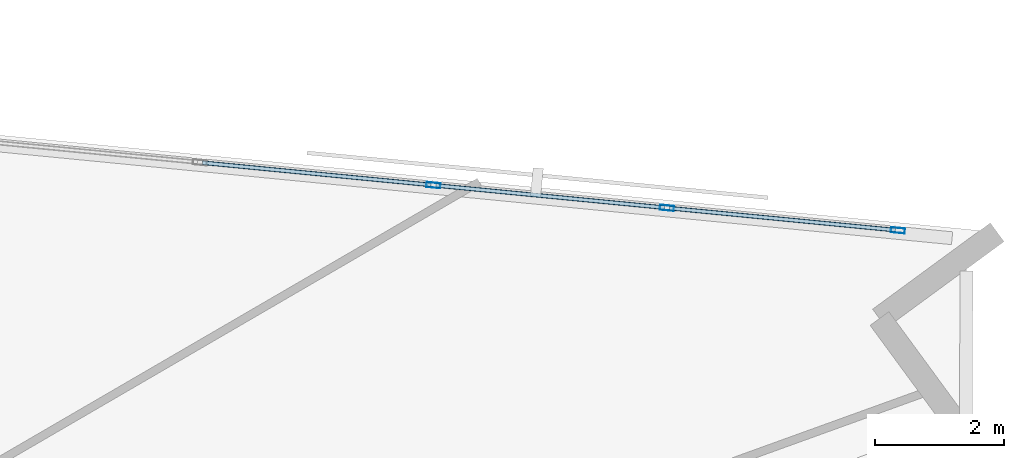
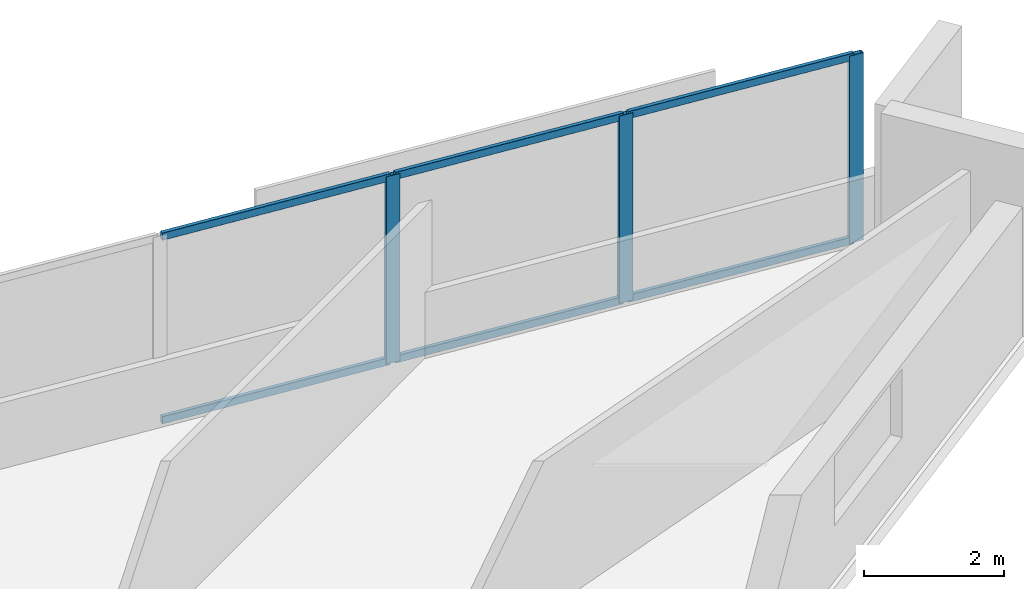
# One storey, part 6 of 14: 9 members, 1 element without a shape of its own.
"""IFC4 building model written with IfcOpenShell, lengths in metres."""

from ifc_helpers import new_model, si_unit, direction, frame, origin, origin_2d, place, context, subcontext, project, spatial, hollow_rectangle, extrude, material, material_profile, profile_set, type_object, element, aggregate, save


model = new_model("IFC4")

# Units and contexts
model_context = context("Model", 3, precision=1e-05, world=origin(), true_north=direction((0.0, 1.0)))
body_context = subcontext(model_context, "Body", "Model", "MODEL_VIEW")
ifc_project = project(units=[si_unit("LENGTHUNIT", "METRE"), si_unit("AREAUNIT", "SQUARE_METRE"), si_unit("VOLUMEUNIT", "CUBIC_METRE"), si_unit("PLANEANGLEUNIT", "RADIAN"), si_unit("MASSUNIT", "GRAM", prefix="KILO")], contexts=[model_context])

# Site, building, storey
site_placement = place(None, origin())
site = spatial("IfcSite", under=ifc_project, at=site_placement, CompositionType="ELEMENT")
building_placement = place(site_placement, origin())
building = spatial("IfcBuilding", under=site, at=building_placement, Name="Narakoshi Arena Tower", CompositionType="ELEMENT")
storey_placement = place(building_placement, frame((0.0, 0.0, 250.179931640625)))
storey = spatial("IfcBuildingStorey", under=building, at=storey_placement, Name="L68", CompositionType="ELEMENT", Elevation=250.179931640625)

# Curtain wall, members
ifc_material = material(Name="Anodised bronze aluminium 6063-T6", Category="aluminium")
curtain_wall_type = type_object("IfcCurtainWallType", Name="CW-HYP-HIGH", PredefinedType="NOTDEFINED", material=ifc_material)
curtain_wall_placement = place(storey_placement, origin())
curtain_wall = element("IfcCurtainWall", 1, at=curtain_wall_placement, inside=storey, type_object=curtain_wall_type, Name="L68 Folded Hypotenuse Curtain Wall 1-1", PredefinedType="NOTDEFINED")
ifc_material_profile_1 = material_profile(ifc_material, hollow_rectangle(XDim=0.080078125, YDim=0.219970703125, WallThickness=0.0048828125, OuterFilletRadius=0.006103515625, at=origin_2d()), Name="MUL220x80x5")
ifc_profile_set_1 = profile_set([ifc_material_profile_1], Name="Anodised bronze aluminium 6063-T6")
member_type_1 = type_object("IfcMemberType", Name="MEM-MUL-220", PredefinedType="MULLION", material=ifc_profile_set_1)
member_1_placement = place(storey_placement, frame((112.25048828125, 60.418701171875, 0.0), z_axis=(0.0, 0.0, 1.0), x_axis=(-0.096851320996, -0.995298860454, 0.0)))
member_1 = element("IfcMember", 2, at=member_1_placement, type_object=member_type_1, Name="CW-03 mullion 1", PredefinedType="MULLION", context=body_context, shape_type="SweptSolid", body=[
    extrude(hollow_rectangle(XDim=0.080078125, YDim=0.219970703125, WallThickness=0.0048828125, OuterFilletRadius=0.006103515625, at=origin_2d()), origin(), (0.0, 0.0, 1.0), 3.260009765625),
])
member_2_placement = place(storey_placement, frame((108.65869140625, 60.768310546875, 0.0), z_axis=(0.0, 0.0, 1.0), x_axis=(-0.096851320996, -0.995298860454, 0.0)))
member_2 = element("IfcMember", 3, at=member_2_placement, type_object=member_type_1, Name="CW-03 mullion 2", PredefinedType="MULLION", context=body_context, shape_type="SweptSolid", body=[
    extrude(hollow_rectangle(XDim=0.080078125, YDim=0.219970703125, WallThickness=0.0048828125, OuterFilletRadius=0.006103515625, at=origin_2d()), origin(), (0.0, 0.0, 1.0), 3.260009765625),
])
member_3_placement = place(storey_placement, frame((105.027099609375, 61.12158203125, 0.0), z_axis=(0.0, 0.0, 1.0), x_axis=(-0.096851320996, -0.995298860454, 0.0)))
member_3 = element("IfcMember", 4, at=member_3_placement, type_object=member_type_1, Name="CW-03 mullion 3", PredefinedType="MULLION", context=body_context, shape_type="SweptSolid", body=[
    extrude(hollow_rectangle(XDim=0.080078125, YDim=0.219970703125, WallThickness=0.0048828125, OuterFilletRadius=0.006103515625, at=origin_2d()), origin(), (0.0, 0.0, 1.0), 3.260009765625),
])
ifc_material_profile_2 = material_profile(ifc_material, hollow_rectangle(XDim=0.06494140625, YDim=0.1298828125, WallThickness=0.00390625, OuterFilletRadius=0.0048828125, at=origin_2d()), Name="TRN130x65x4")
ifc_profile_set_2 = profile_set([ifc_material_profile_2], Name="Anodised bronze aluminium 6063-T6")
member_type_2 = type_object("IfcMemberType", Name="MEM-TRN-130", PredefinedType="USERDEFINED", material=ifc_profile_set_2)
member_4_placement = place(storey_placement, frame((112.210693359375, 60.422607421875, 0.032470703125), z_axis=(-0.995298087829, 0.096859260598, 0.0), x_axis=(-0.096859260598, -0.995298087829, 0.0)))
member_4 = element("IfcMember", 5, at=member_4_placement, type_object=member_type_2, Name="CW-03 transom 1.1", ObjectType="TRANSOM", PredefinedType="USERDEFINED", context=body_context, shape_type="SweptSolid", body=[
    extrude(hollow_rectangle(XDim=0.06494140625, YDim=0.1298828125, WallThickness=0.00390625, OuterFilletRadius=0.0048828125, at=origin_2d()), origin(), (0.0, 0.0, 1.0), 3.52880859375),
])
member_5_placement = place(storey_placement, frame((112.210693359375, 60.422607421875, 3.2275390625), z_axis=(-0.995298087829, 0.096859260598, 0.0), x_axis=(-0.096859260598, -0.995298087829, 0.0)))
member_5 = element("IfcMember", 6, at=member_5_placement, type_object=member_type_2, Name="CW-03 transom 1.2", ObjectType="TRANSOM", PredefinedType="USERDEFINED", context=body_context, shape_type="SweptSolid", body=[
    extrude(hollow_rectangle(XDim=0.06494140625, YDim=0.1298828125, WallThickness=0.00390625, OuterFilletRadius=0.0048828125, at=origin_2d()), origin(), (0.0, 0.0, 1.0), 3.52880859375),
])
member_6_placement = place(storey_placement, frame((108.618896484375, 60.772216796875, 0.032470703125), z_axis=(-0.995303775278, 0.096800800194, 0.0), x_axis=(-0.096800800194, -0.995303775278, 0.0)))
member_6 = element("IfcMember", 7, at=member_6_placement, type_object=member_type_2, Name="CW-03 transom 2.1", ObjectType="TRANSOM", PredefinedType="USERDEFINED", context=body_context, shape_type="SweptSolid", body=[
    extrude(hollow_rectangle(XDim=0.06494140625, YDim=0.1298828125, WallThickness=0.00390625, OuterFilletRadius=0.0048828125, at=origin_2d()), origin(), (0.0, 0.0, 1.0), 3.56884765625),
])
member_7_placement = place(storey_placement, frame((108.618896484375, 60.772216796875, 3.2275390625), z_axis=(-0.995303775278, 0.096800800194, 0.0), x_axis=(-0.096800800194, -0.995303775278, 0.0)))
member_7 = element("IfcMember", 8, at=member_7_placement, type_object=member_type_2, Name="CW-03 transom 2.2", ObjectType="TRANSOM", PredefinedType="USERDEFINED", context=body_context, shape_type="SweptSolid", body=[
    extrude(hollow_rectangle(XDim=0.06494140625, YDim=0.1298828125, WallThickness=0.00390625, OuterFilletRadius=0.0048828125, at=origin_2d()), origin(), (0.0, 0.0, 1.0), 3.56884765625),
])
member_8_placement = place(storey_placement, frame((104.9873046875, 61.12548828125, 0.032470703125), z_axis=(-0.995297181926, 0.096868568947, 0.0), x_axis=(-0.096868568947, -0.995297181926, 0.0)))
member_8 = element("IfcMember", 9, at=member_8_placement, type_object=member_type_2, Name="CW-03 transom 3.1", ObjectType="TRANSOM", PredefinedType="USERDEFINED", context=body_context, shape_type="SweptSolid", body=[
    extrude(hollow_rectangle(XDim=0.06494140625, YDim=0.1298828125, WallThickness=0.00390625, OuterFilletRadius=0.0048828125, at=origin_2d()), origin(), (0.0, 0.0, 1.0), 3.56884765625),
])
member_9_placement = place(storey_placement, frame((104.9873046875, 61.12548828125, 3.2275390625), z_axis=(-0.995297181926, 0.096868568947, 0.0), x_axis=(-0.096868568947, -0.995297181926, 0.0)))
member_9 = element("IfcMember", 10, at=member_9_placement, type_object=member_type_2, Name="CW-03 transom 3.2", ObjectType="TRANSOM", PredefinedType="USERDEFINED", context=body_context, shape_type="SweptSolid", body=[
    extrude(hollow_rectangle(XDim=0.06494140625, YDim=0.1298828125, WallThickness=0.00390625, OuterFilletRadius=0.0048828125, at=origin_2d()), origin(), (0.0, 0.0, 1.0), 3.56884765625),
])
aggregate(curtain_wall, [member_1, member_2, member_3, member_4, member_5, member_6, member_7, member_8, member_9])

save(model, "model.ifc")
